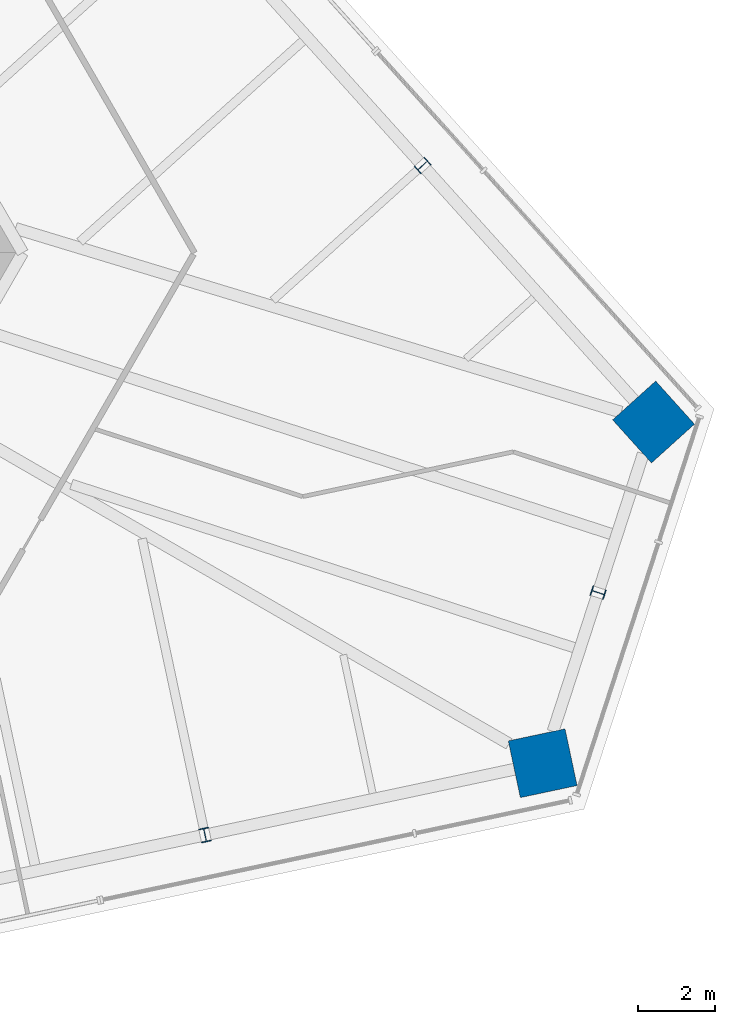
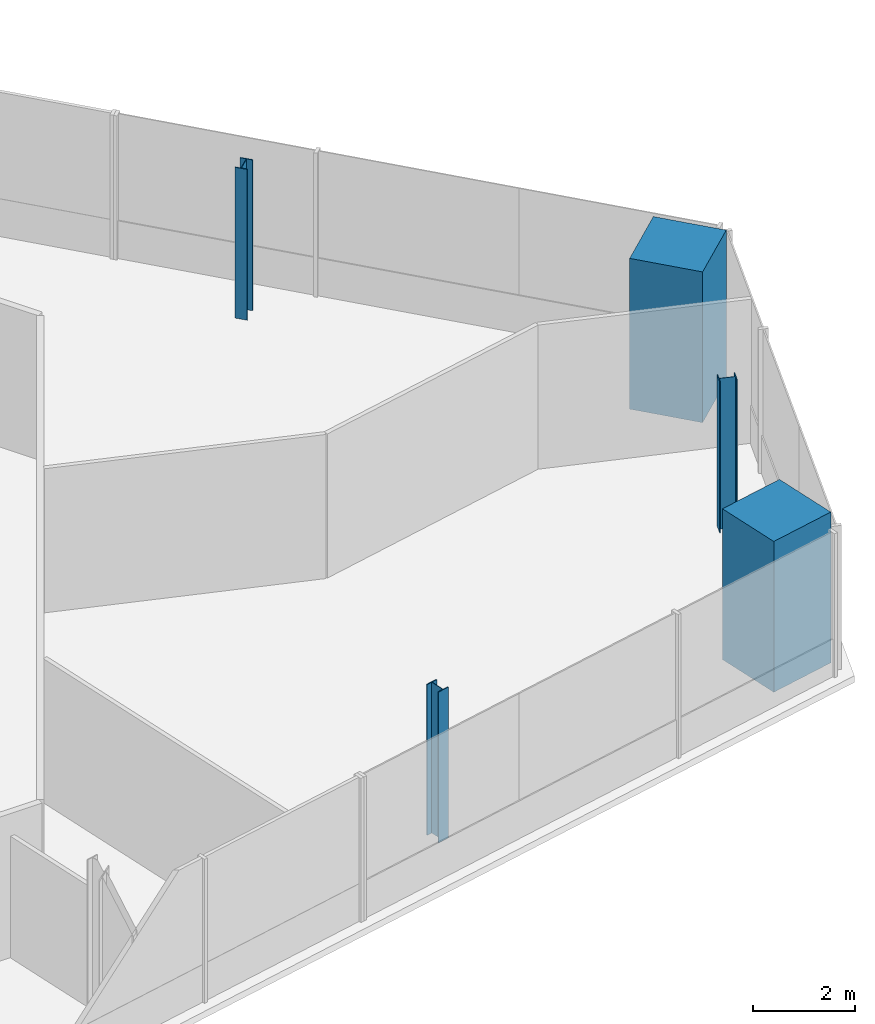
# One storey, part 2 of 15: 5 columns.
"""IFC4 building model written with IfcOpenShell, lengths in metres."""

from ifc_helpers import new_model, si_unit, direction, frame, origin, origin_2d, place, context, subcontext, project, spatial, rectangle, i_section, extrude, source, transform, mapped, material, material_profile, profile_set, type_object, element, save


model = new_model("IFC4")

# Units and contexts
model_context = context("Model", 3, precision=1e-05, world=origin(), true_north=direction((0.0, 1.0)))
body_context = subcontext(model_context, "Body", "Model", "MODEL_VIEW")
ifc_project = project(units=[si_unit("LENGTHUNIT", "METRE"), si_unit("AREAUNIT", "SQUARE_METRE"), si_unit("VOLUMEUNIT", "CUBIC_METRE"), si_unit("PLANEANGLEUNIT", "RADIAN"), si_unit("MASSUNIT", "GRAM", prefix="KILO")], contexts=[model_context])

# Site, building, storey
site_placement = place(None, origin())
site = spatial("IfcSite", under=ifc_project, at=site_placement, CompositionType="ELEMENT")
building_placement = place(site_placement, origin())
building = spatial("IfcBuilding", under=site, at=building_placement, Name="Triune Harvest Tower", CompositionType="ELEMENT")
storey_placement = place(building_placement, frame((0.0, 0.0, 277.5)))
storey = spatial("IfcBuildingStorey", under=building, at=storey_placement, Name="L73", CompositionType="ELEMENT", Elevation=277.5)

# Columns
ifc_material_1 = material(Name="Concrete 70 MPa", Category="concrete")
ifc_material_profile_1 = material_profile(ifc_material_1, rectangle(XDim=1.5, YDim=1.5, at=origin_2d()), Name="Composite 1500x1500")
ifc_profile_set_1 = profile_set([ifc_material_profile_1], Name="Concrete 70 MPa")
column_type_1 = type_object("IfcColumnType", Name="MC-7 Mega column Composite 1500x1500", PredefinedType="COLUMN", material=ifc_profile_set_1)
shared_shape_1 = source(origin(), body_context, "Body", "SweptSolid", [
    extrude(rectangle(XDim=1.5, YDim=1.5, at=origin_2d()), origin(), (0.0, 0.0, 1.0), 3.60009765625),
])
for number, where, z_axis, x_axis, name in (
    (1, (28.4931640625, -4.379150390625, 0.0), (0.0, 0.0, 1.0), (-0.669130606359, 0.743144825477, 0.0), "col/L73/M0"),
    (2, (25.62548828125, -13.205078125, 0.0), (0.0, 0.0, 1.0), (0.978147237858, 0.207913398007, 0.0), "col/L73/M19"),
):
    element("IfcColumn", number, at=place(storey_placement, frame(where, z_axis=z_axis, x_axis=x_axis)), inside=storey, type_object=column_type_1, Name=name, PredefinedType="COLUMN", context=body_context, shape_type="MappedRepresentation", body=[
        mapped(shared_shape_1, transform((0.0, 0.0, 0.0), scale=1.0)),
    ])
ifc_material_2 = material(Name="Steel ASTM A992 Gr 50", Category="steel")
ifc_material_profile_2 = material_profile(ifc_material_2, i_section(OverallWidth=0.256591796875, OverallDepth=0.360595703125, WebThickness=0.011474609375, FlangeThickness=0.02001953125, at=origin_2d()), Name="W14x74")
ifc_profile_set_2 = profile_set([ifc_material_profile_2], Name="Steel ASTM A992 Gr 50")
column_type_2 = type_object("IfcColumnType", Name="PC-7 Perimeter column W14x74", PredefinedType="COLUMN", material=ifc_profile_set_2)
shared_shape_2 = source(origin(), body_context, "Body", "SweptSolid", [
    extrude(i_section(OverallWidth=0.256591796875, OverallDepth=0.360595703125, WebThickness=0.011474609375, FlangeThickness=0.02001953125, at=origin_2d()), origin(), (0.0, 0.0, 1.0), 3.60009765625),
])
for number, where, z_axis, x_axis, name in (
    (3, (22.519287109375, 2.255615234375, 0.0), (0.0, 0.0, 1.0), (-0.669130606359, 0.743144825477, 0.0), "col/L73/P1"),
    (4, (16.892578125, -15.061279296875, 0.0), (0.0, 0.0, 1.0), (0.978147237858, 0.207913398007, 0.0), "col/L73/P18"),
    (5, (27.059326171875, -8.7919921875, 0.0), (0.0, 0.0, 1.0), (0.309016994375, 0.951056516295, 0.0), "col/L73/P20"),
):
    element("IfcColumn", number, at=place(storey_placement, frame(where, z_axis=z_axis, x_axis=x_axis)), inside=storey, type_object=column_type_2, Name=name, PredefinedType="COLUMN", context=body_context, shape_type="MappedRepresentation", body=[
        mapped(shared_shape_2, transform((0.0, 0.0, 0.0), scale=1.0)),
    ])

save(model, "model.ifc")
